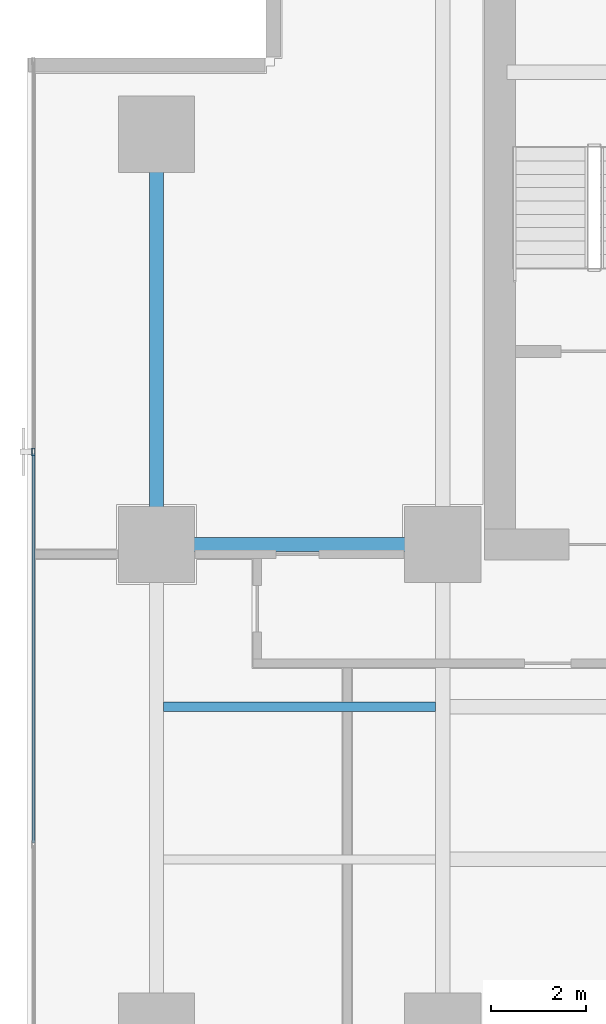
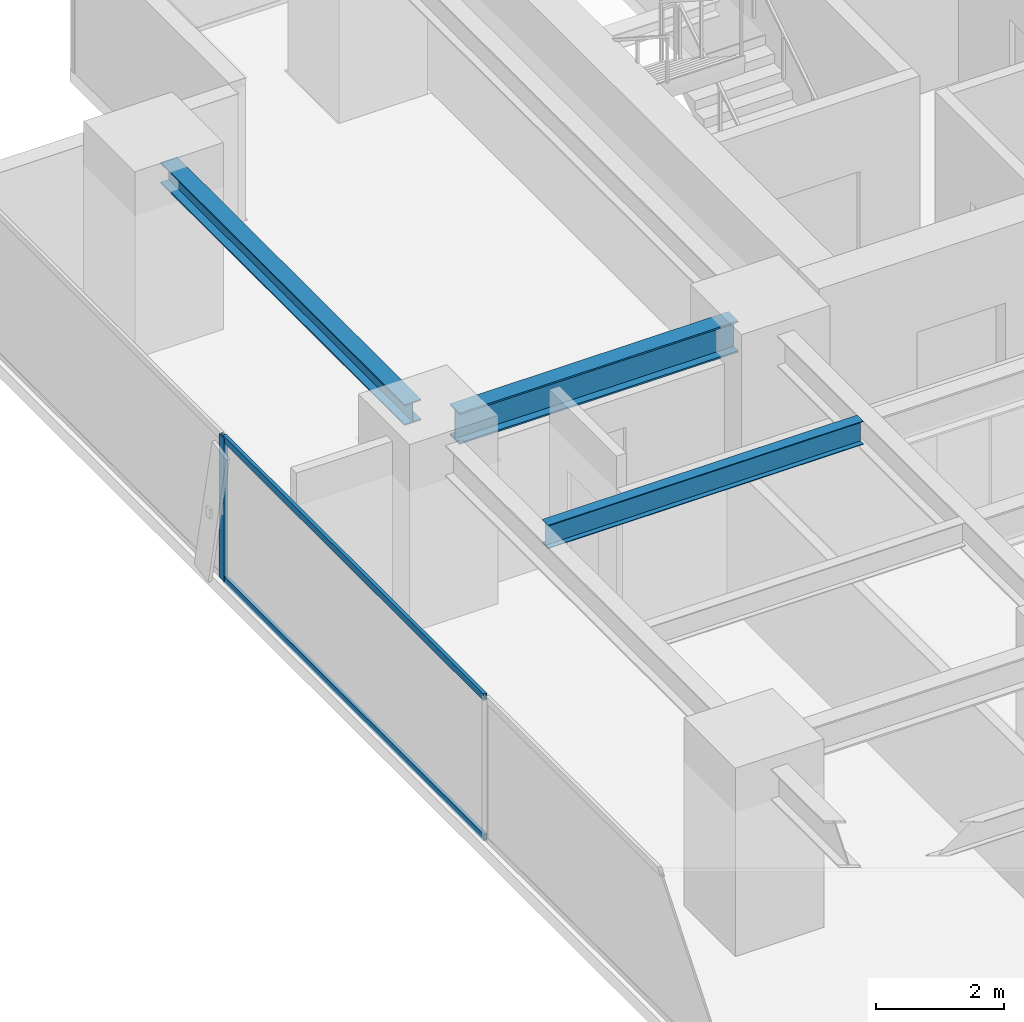
# One storey, part 17 of 36: 3 beams, 3 members, 1 element without a shape of its own.
"""IFC4 building model written with IfcOpenShell, lengths in metres."""

import ifcopenshell
import ifcopenshell.guid

model = None  # the IFC model being written
_history = None  # IfcOwnerHistory: only IFC2X3 demands one
_inside = {}  # id of a spatial element -> (the spatial element, [elements in it])
_under = {}  # id of a project, library or spatial element -> (it, [spatial elements below it])
_declared = {}  # id of a project -> (the project, [libraries it declares])
_typed = {}  # id of a type object -> (the type object, [elements of that type])
_made_of = {}  # id of a material, layer set ... -> (it, [elements and type objects made of it])


def new_model(schema):
    """Start an empty IFC model of exactly this schema.

    Asked for "IFC4X3", IfcOpenShell would pick the latest addendum, in which some entities
    have other attributes; the version numbers below select the first issue.
    IFC2X3 requires an IfcOwnerHistory on every rooted entity: one is made here for all.
    """
    global model, _history
    if schema == "IFC4X3":
        model = ifcopenshell.file(schema_version=(4, 3, 0, 0))
    else:
        model = ifcopenshell.file(schema=schema)
    _inside.clear()
    _under.clear()
    _declared.clear()
    _typed.clear()
    _made_of.clear()
    _history = None
    if model.schema == "IFC2X3":
        org = make("IfcOrganization", Name="unknown")
        user = make(
            "IfcPersonAndOrganization",
            ThePerson=make("IfcPerson", FamilyName="unknown"),
            TheOrganization=org,
        )
        app = make(
            "IfcApplication",
            ApplicationDeveloper=org,
            Version="unknown",
            ApplicationFullName="unknown",
            ApplicationIdentifier="unknown",
        )
        _history = make(
            "IfcOwnerHistory",
            OwningUser=user,
            OwningApplication=app,
            ChangeAction="ADDED",
            CreationDate=0,
        )
    return model


def make(cls, **values):
    """One entity of the class cls with the attributes given. An attribute that is None is left unset."""
    return model.create_entity(
        cls, **{name: value for name, value in values.items() if value is not None}
    )


def rooted(cls, **values):
    """An entity with a GlobalId (a new one), such as an element, a storey or a relation."""
    return make(cls, GlobalId=ifcopenshell.guid.new(), OwnerHistory=_history, **values)


def si_unit(unit_type, name, prefix=None):
    """IfcSIUnit, for example si_unit("LENGTHUNIT", "METRE", prefix="MILLI")."""
    return make("IfcSIUnit", UnitType=unit_type, Prefix=prefix, Name=name)


def assignment(units):
    """IfcUnitAssignment: the units of a project."""
    return None if units is None else make("IfcUnitAssignment", Units=units)


def point(xyz):
    """IfcCartesianPoint."""
    return None if xyz is None else make("IfcCartesianPoint", Coordinates=xyz)


def direction(xyz):
    """IfcDirection."""
    return None if xyz is None else make("IfcDirection", DirectionRatios=xyz)


def frame(location, z_axis=None, x_axis=None):
    """IfcAxis2Placement3D, a coordinate frame: its origin and axes. An axis left out is left unset."""
    return make(
        "IfcAxis2Placement3D",
        Location=point(location),
        Axis=direction(z_axis),
        RefDirection=direction(x_axis),
    )


def frame_2d(location, x_axis=None):
    """IfcAxis2Placement2D, a coordinate frame in the plane: its origin and x axis."""
    return make(
        "IfcAxis2Placement2D", Location=point(location), RefDirection=direction(x_axis)
    )


def origin():
    """The frame at (0, 0, 0) with its axes left unset."""
    return frame((0.0, 0.0, 0.0))


def origin_2d():
    """The frame at (0, 0) in the plane with its x axis left unset."""
    return frame_2d((0.0, 0.0))


def place(relative_to, where):
    """IfcLocalPlacement: puts the frame where relative to a parent placement (None: the world)."""
    return make(
        "IfcLocalPlacement", PlacementRelTo=relative_to, RelativePlacement=where
    )


def context(
    kind, dimensions, precision=None, world=None, true_north=None, identifier=None
):
    """IfcGeometricRepresentationContext, for example the 3D "Model" context."""
    return make(
        "IfcGeometricRepresentationContext",
        ContextIdentifier=identifier,
        ContextType=kind,
        CoordinateSpaceDimension=dimensions,
        Precision=precision,
        WorldCoordinateSystem=world,
        TrueNorth=true_north,
    )


def subcontext(parent, identifier, kind, view, scale=None):
    """IfcGeometricRepresentationSubContext, for example "Body" below "Model"."""
    return make(
        "IfcGeometricRepresentationSubContext",
        ContextIdentifier=identifier,
        ContextType=kind,
        ParentContext=parent,
        TargetScale=scale,
        TargetView=view,
    )


def project(units=None, contexts=None):
    """IfcProject with its units and contexts."""
    return rooted(
        "IfcProject",
        Name="project",
        RepresentationContexts=contexts,
        UnitsInContext=assignment(units),
    )


def spatial(cls, under=None, at=None, **own):
    """A site, building, storey or space (cls), placed at a placement, below another one or the project."""
    s = rooted(cls, ObjectPlacement=at, **own)
    if under is not None:
        _under.setdefault(under.id(), (under, []))[1].append(s)
    return s


def profile(cls, at=None, kind="AREA", **sizes):
    """A parametric profile (cls). Its sizes go by their IFC names, for example OverallWidth=200.0."""
    return make(cls, ProfileType=kind, Position=at, **sizes)


def hollow_rectangle(**sizes):
    """IfcRectangleHollowProfileDef."""
    return profile("IfcRectangleHollowProfileDef", **sizes)


def i_section(**sizes):
    """IfcIShapeProfileDef."""
    return profile("IfcIShapeProfileDef", **sizes)


def extrude(swept, where, along, depth):
    """IfcExtrudedAreaSolid: the profile swept, set in the frame where, extruded along a direction by depth."""
    return make(
        "IfcExtrudedAreaSolid",
        SweptArea=swept,
        Position=where,
        ExtrudedDirection=direction(along),
        Depth=depth,
    )


def shape(context_of_items, identifier, shape_type, items):
    """IfcShapeRepresentation: the items that make up one representation, for example the "Body"."""
    return make(
        "IfcShapeRepresentation",
        ContextOfItems=context_of_items,
        RepresentationIdentifier=identifier,
        RepresentationType=shape_type,
        Items=items,
    )


def source(mapping_origin, context_of_items, identifier, shape_type, items):
    """IfcRepresentationMap: a shape defined once, which mapped items show again and again."""
    return make(
        "IfcRepresentationMap",
        MappingOrigin=mapping_origin,
        MappedRepresentation=shape(context_of_items, identifier, shape_type, items),
    )


def transform(
    local_origin,
    x_axis=None,
    y_axis=None,
    z_axis=None,
    scale=None,
    scale2=None,
    scale3=None,
    uniform=True,
):
    """IfcCartesianTransformationOperator3D, or its non-uniform kind. x_axis, y_axis, z_axis: its Axis1, 2, 3."""
    if uniform:
        return make(
            "IfcCartesianTransformationOperator3D",
            Axis1=direction(x_axis),
            Axis2=direction(y_axis),
            LocalOrigin=point(local_origin),
            Scale=scale,
            Axis3=direction(z_axis),
        )
    return make(
        "IfcCartesianTransformationOperator3DnonUniform",
        Axis1=direction(x_axis),
        Axis2=direction(y_axis),
        LocalOrigin=point(local_origin),
        Scale=scale,
        Axis3=direction(z_axis),
        Scale2=scale2,
        Scale3=scale3,
    )


def mapped(mapping_source, mapping_target):
    """IfcMappedItem: shows the shape of a source again, moved by a transform."""
    return make(
        "IfcMappedItem", MappingSource=mapping_source, MappingTarget=mapping_target
    )


def material(Name=None, Category=None):
    """IfcMaterial."""
    return make("IfcMaterial", Name=Name, Category=Category)


def layer(
    of_material, thickness, ventilated=None, Name=None, Category=None, Priority=None
):
    """IfcMaterialLayer: one layer of a wall or slab, of a material (None: an air gap)."""
    return make(
        "IfcMaterialLayer",
        Material=of_material,
        LayerThickness=thickness,
        IsVentilated=ventilated,
        Name=Name,
        Category=Category,
        Priority=Priority,
    )


def layer_set(layers, Name=None):
    """IfcMaterialLayerSet."""
    return make("IfcMaterialLayerSet", MaterialLayers=layers, LayerSetName=Name)


def material_profile(
    of_material, cross_section, Name=None, Category=None, Priority=None
):
    """IfcMaterialProfile: a cross section and its material."""
    return make(
        "IfcMaterialProfile",
        Name=Name,
        Material=of_material,
        Profile=cross_section,
        Priority=Priority,
        Category=Category,
    )


def profile_set(profiles, Name=None, composite=None):
    """IfcMaterialProfileSet."""
    return make(
        "IfcMaterialProfileSet",
        Name=Name,
        MaterialProfiles=profiles,
        CompositeProfile=composite,
    )


def made_of(thing, what):
    """Note that an element or type object is made of a material, layer set ...; save() writes the relation."""
    if what is not None:
        _made_of.setdefault(what.id(), (what, []))[1].append(thing)
    return thing


def type_object(cls, material=None, **own):
    """A type object (cls), such as IfcWallType, which elements share."""
    return made_of(rooted(cls, **own), material)


def element(
    cls,
    number,
    at=None,
    inside=None,
    cuts=None,
    type_object=None,
    material=None,
    context=None,
    identifier="Body",
    shape_type=None,
    held_by="IfcProductDefinitionShape",
    body=None,
    shapes=None,
    **own,
):
    """One element of the class cls, such as IfcWall. Its Tag is "e" and its number.

    at: its placement. inside: the storey or other place that contains it. cuts: it is an
    opening in that element (IfcRelVoidsElement). A single representation is given by context,
    identifier, shape_type and body (its items); several are given by shapes. held_by: the class
    of the entity that holds the representations. save() writes the other relations.
    """
    e = rooted(cls, Tag="e%d" % number, ObjectPlacement=at, **own)
    if body is not None:
        shapes = [shape(context, identifier, shape_type, body)]
    if shapes is not None:
        e.Representation = make(held_by, Representations=shapes)
    if inside is not None:
        _inside.setdefault(inside.id(), (inside, []))[1].append(e)
    if cuts is not None:
        rooted(
            "IfcRelVoidsElement", RelatingBuildingElement=cuts, RelatedOpeningElement=e
        )
    if type_object is not None:
        _typed.setdefault(type_object.id(), (type_object, []))[1].append(e)
    return made_of(e, material)


def aggregate(whole, parts):
    """IfcRelAggregates: a whole, such as a stair, and the parts it consists of."""
    return rooted("IfcRelAggregates", RelatingObject=whole, RelatedObjects=parts)


def save(model, path):
    """Write the relations noted so far, then the file.

    IfcRelAggregates (storeys below a building ...), IfcRelContainedInSpatialStructure (elements
    in a storey), IfcRelDefinesByType, IfcRelAssociatesMaterial and IfcRelDeclares: one each for
    every whole, place, type object, material and project.
    """
    for whole, parts in _under.values():
        aggregate(whole, parts)
    for where, things in _inside.values():
        rooted(
            "IfcRelContainedInSpatialStructure",
            RelatedElements=things,
            RelatingStructure=where,
        )
    for kind, things in _typed.values():
        rooted("IfcRelDefinesByType", RelatedObjects=things, RelatingType=kind)
    for what, things in _made_of.values():
        rooted("IfcRelAssociatesMaterial", RelatedObjects=things, RelatingMaterial=what)
    for by, libraries in _declared.values():
        rooted("IfcRelDeclares", RelatingContext=by, RelatedDefinitions=libraries)
    model.write(path)


model = new_model("IFC4")

# Units and contexts
model_context = context("Model", 3, precision=1e-05, world=origin(), true_north=direction((0.0, 1.0)))
body_context = subcontext(model_context, "Body", "Model", "MODEL_VIEW")
ifc_project = project(units=[si_unit("LENGTHUNIT", "METRE"), si_unit("AREAUNIT", "SQUARE_METRE"), si_unit("VOLUMEUNIT", "CUBIC_METRE"), si_unit("PLANEANGLEUNIT", "RADIAN"), si_unit("MASSUNIT", "GRAM", prefix="KILO")], contexts=[model_context])

# Site, building, storey
site_placement = place(None, origin())
site = spatial("IfcSite", under=ifc_project, at=site_placement, CompositionType="ELEMENT")
building_placement = place(site_placement, origin())
building = spatial("IfcBuilding", under=site, at=building_placement, Name="Sumidabori Civic Tower", CompositionType="ELEMENT")
storey_placement = place(building_placement, frame((0.0, 0.0, 113.60009765625)))
storey = spatial("IfcBuildingStorey", under=building, at=storey_placement, Name="L29", CompositionType="ELEMENT", Elevation=113.60009765625)

# Beams
ifc_material_1 = material(Name="Steel SN490", Category="steel")
ifc_material_profile_1 = material_profile(ifc_material_1, i_section(OverallWidth=0.300048828125, OverallDepth=0.60009765625, WebThickness=0.015380859375, FlangeThickness=0.030029296875, at=origin_2d()), Name="HE 600 B")
ifc_profile_set_1 = profile_set([ifc_material_profile_1], Name="Steel SN490")
beam_type_1 = type_object("IfcBeamType", Name="BM-GIRD-600", PredefinedType="BEAM", material=ifc_profile_set_1)
shared_shape_1 = source(origin(), body_context, "Body", "SweptSolid", [
    extrude(i_section(OverallWidth=0.300048828125, OverallDepth=0.60009765625, WebThickness=0.015380859375, FlangeThickness=0.030029296875, at=origin_2d()), origin(), (0.0, 0.0, 1.0), 5.0400390625),
])
beam_1_placement = place(storey_placement, frame((-22.320068359375, 10.199951171875, 3.059814453125), z_axis=(1.0, 0.0, 0.0), x_axis=(0.0, 1.0, 0.0)))
element("IfcBeam", 1, at=beam_1_placement, inside=storey, type_object=beam_type_1, Name="Primary Girder L29 GX-19", PredefinedType="BEAM", context=body_context, shape_type="MappedRepresentation", body=[
    mapped(shared_shape_1, transform((0.0, 0.0, 0.0), x_axis=(1.0, 0.0, 0.0), y_axis=(0.0, 1.0, 0.0), z_axis=(0.0, 0.0, 1.0), scale=1.0)),
])
ifc_material_profile_2 = material_profile(ifc_material_1, i_section(OverallWidth=0.300048828125, OverallDepth=0.39990234375, WebThickness=0.013427734375, FlangeThickness=0.02392578125, at=origin_2d()), Name="HE 400 B")
ifc_profile_set_2 = profile_set([ifc_material_profile_2], Name="Steel SN490")
beam_type_2 = type_object("IfcBeamType", Name="BM-GIRD-400", PredefinedType="BEAM", material=ifc_profile_set_2)
shared_shape_2 = source(origin(), body_context, "Body", "SweptSolid", [
    extrude(i_section(OverallWidth=0.300048828125, OverallDepth=0.39990234375, WebThickness=0.013427734375, FlangeThickness=0.02392578125, at=origin_2d()), origin(), (0.0, 0.0, 1.0), 7.64013671875),
])
beam_2_placement = place(storey_placement, frame((-22.800048828125, 10.679931640625, 3.159912109375), z_axis=(0.0, 1.0, 0.0), x_axis=(-1.0, 0.0, 0.0)))
element("IfcBeam", 2, at=beam_2_placement, inside=storey, type_object=beam_type_2, Name="Primary Girder L29 GY-24", PredefinedType="BEAM", context=body_context, shape_type="MappedRepresentation", body=[
    mapped(shared_shape_2, transform((0.0, 0.0, 0.0), x_axis=(1.0, 0.0, 0.0), y_axis=(0.0, 1.0, 0.0), z_axis=(0.0, 0.0, 1.0), scale=1.0)),
])
ifc_material_profile_3 = material_profile(ifc_material_1, i_section(OverallWidth=0.18994140625, OverallDepth=0.449951171875, WebThickness=0.009521484375, FlangeThickness=0.0146484375, at=origin_2d()), Name="IPE 450")
ifc_profile_set_3 = profile_set([ifc_material_profile_3], Name="Steel SN490")
beam_type_3 = type_object("IfcBeamType", Name="BM-JST-450", PredefinedType="JOIST", material=ifc_profile_set_3)
shared_shape_3 = source(origin(), body_context, "Body", "SweptSolid", [
    extrude(i_section(OverallWidth=0.18994140625, OverallDepth=0.449951171875, WebThickness=0.009521484375, FlangeThickness=0.0146484375, at=origin_2d()), origin(), (0.0, 0.0, 1.0), 5.699951171875),
])
beam_3_placement = place(storey_placement, frame((-22.64990234375, 6.800048828125, 3.135009765625), z_axis=(1.0, 0.0, 0.0), x_axis=(0.0, 1.0, 0.0)))
element("IfcBeam", 3, at=beam_3_placement, inside=storey, type_object=beam_type_3, Name="Outer Bay Floor Joist L29 JSTO-49", PredefinedType="JOIST", context=body_context, shape_type="MappedRepresentation", body=[
    mapped(shared_shape_3, transform((0.0, 0.0, 0.0), x_axis=(1.0, 0.0, 0.0), y_axis=(0.0, 1.0, 0.0), z_axis=(0.0, 0.0, 1.0), scale=1.0)),
])

# Curtain wall, members
ifc_material_2 = material(Name="Anodised Bronze Aluminium AW-6063-T6", Category="aluminium")
ifc_layer = layer(ifc_material_2, 0.179931640625, Name="Anodised Bronze Aluminium AW-6063-T6")
ifc_layer_set = layer_set([ifc_layer], Name="Anodised Bronze Aluminium AW-6063-T6")
curtain_wall_type = type_object("IfcCurtainWallType", Name="CW-SYS-3", PredefinedType="NOTDEFINED", material=ifc_layer_set)
curtain_wall_placement = place(storey_placement, origin())
curtain_wall = element("IfcCurtainWall", 4, at=curtain_wall_placement, inside=storey, type_object=curtain_wall_type, Name="Curtain Wall CW:L29:R10", PredefinedType="NOTDEFINED")
ifc_material_profile_4 = material_profile(ifc_material_2, hollow_rectangle(XDim=0.06494140625, YDim=0.159912109375, WallThickness=0.0048828125, at=origin_2d()), Name="ALU MULLION 160x65")
ifc_profile_set_4 = profile_set([ifc_material_profile_4], Name="Anodised Bronze Aluminium AW-6063-T6")
member_type_1 = type_object("IfcMemberType", Name="CW-MUL-160", PredefinedType="MULLION", material=ifc_profile_set_4)
shared_shape_4 = source(origin(), body_context, "Body", "SweptSolid", [
    extrude(hollow_rectangle(XDim=0.06494140625, YDim=0.159912109375, WallThickness=0.0048828125, at=origin_2d()), origin(), (0.0, 0.0, 1.0), 2.739990234375),
])
member_1_placement = place(storey_placement, frame((-25.3798828125, 12.14208984375, 0.0), z_axis=(0.0, 0.0, 1.0), x_axis=(1.0, 0.0, 0.0)))
member_1 = element("IfcMember", 5, at=member_1_placement, type_object=member_type_1, Name="CW-3 mullion 2", PredefinedType="MULLION", context=body_context, shape_type="MappedRepresentation", body=[
    mapped(shared_shape_4, transform((0.0, 0.0, 0.0), x_axis=(1.0, 0.0, 0.0), y_axis=(0.0, 1.0, 0.0), z_axis=(0.0, 0.0, 1.0), scale=1.0)),
])
ifc_material_profile_5 = material_profile(ifc_material_2, hollow_rectangle(XDim=0.06005859375, YDim=0.1298828125, WallThickness=0.0048828125, at=origin_2d()), Name="ALU TRANSOM 130x60")
ifc_profile_set_5 = profile_set([ifc_material_profile_5], Name="Anodised Bronze Aluminium AW-6063-T6")
member_type_2 = type_object("IfcMemberType", Name="CW-TRN-130", PredefinedType="USERDEFINED", material=ifc_profile_set_5)
shared_shape_5 = source(origin(), body_context, "Body", "SweptSolid", [
    extrude(hollow_rectangle(XDim=0.06005859375, YDim=0.1298828125, WallThickness=0.0048828125, at=origin_2d()), origin(), (0.0, 0.0, 1.0), 8.1630859375),
])
member_2_placement = place(storey_placement, frame((-25.3798828125, 12.109619140625, 0.02978515625), z_axis=(0.0, -1.0, 0.0), x_axis=(1.0, 0.0, 0.0)))
member_2 = element("IfcMember", 6, at=member_2_placement, type_object=member_type_2, Name="CW-3 transom 2.1", ObjectType="TRANSOM", PredefinedType="USERDEFINED", context=body_context, shape_type="MappedRepresentation", body=[
    mapped(shared_shape_5, transform((0.0, 0.0, 0.0), x_axis=(1.0, 0.0, 0.0), y_axis=(0.0, 1.0, 0.0), z_axis=(0.0, 0.0, 1.0), scale=1.0)),
])
member_3_placement = place(storey_placement, frame((-25.3798828125, 12.109619140625, 2.7099609375), z_axis=(0.0, -1.0, 0.0), x_axis=(1.0, 0.0, 0.0)))
member_3 = element("IfcMember", 7, at=member_3_placement, type_object=member_type_2, Name="CW-3 transom 2.2", ObjectType="TRANSOM", PredefinedType="USERDEFINED", context=body_context, shape_type="MappedRepresentation", body=[
    mapped(shared_shape_5, transform((0.0, 0.0, 0.0), x_axis=(1.0, 0.0, 0.0), y_axis=(0.0, 1.0, 0.0), z_axis=(0.0, 0.0, 1.0), scale=1.0)),
])
aggregate(curtain_wall, [member_1, member_2, member_3])

save(model, "model.ifc")
